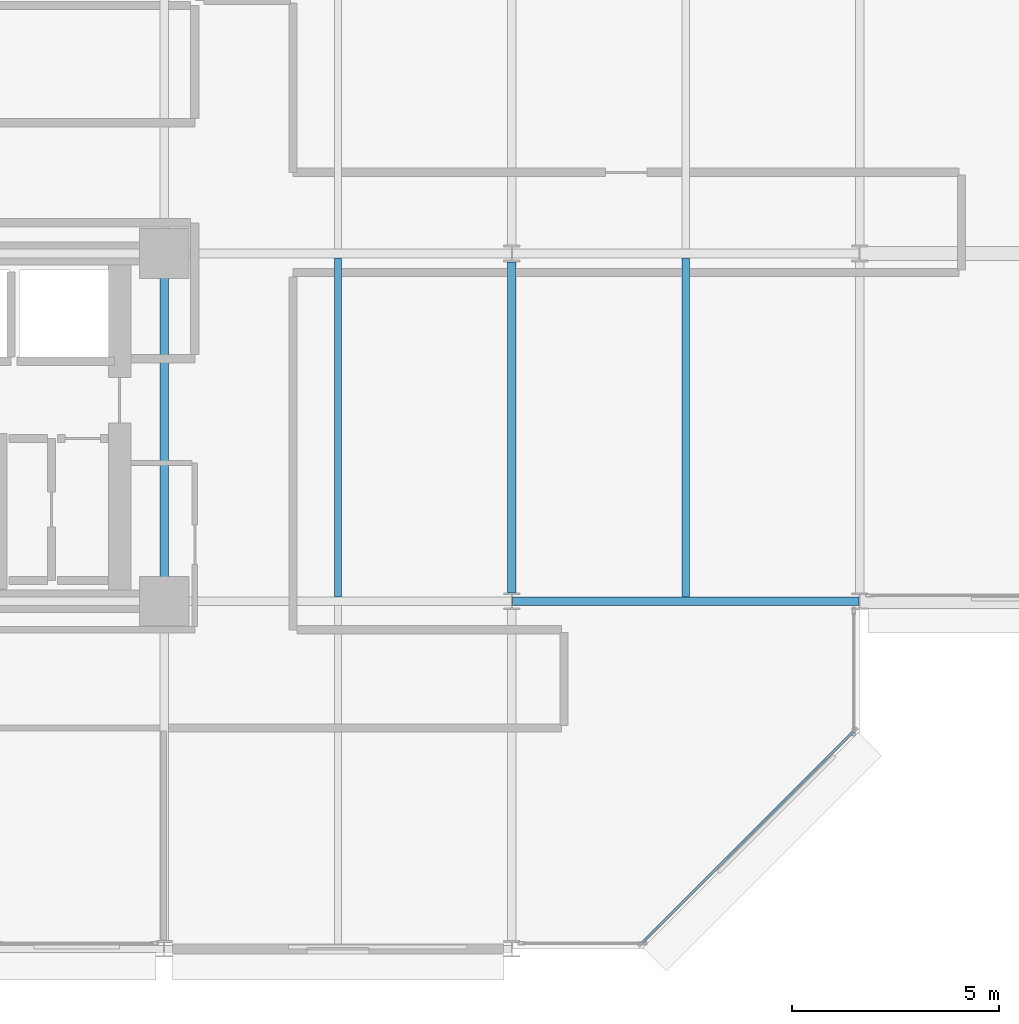
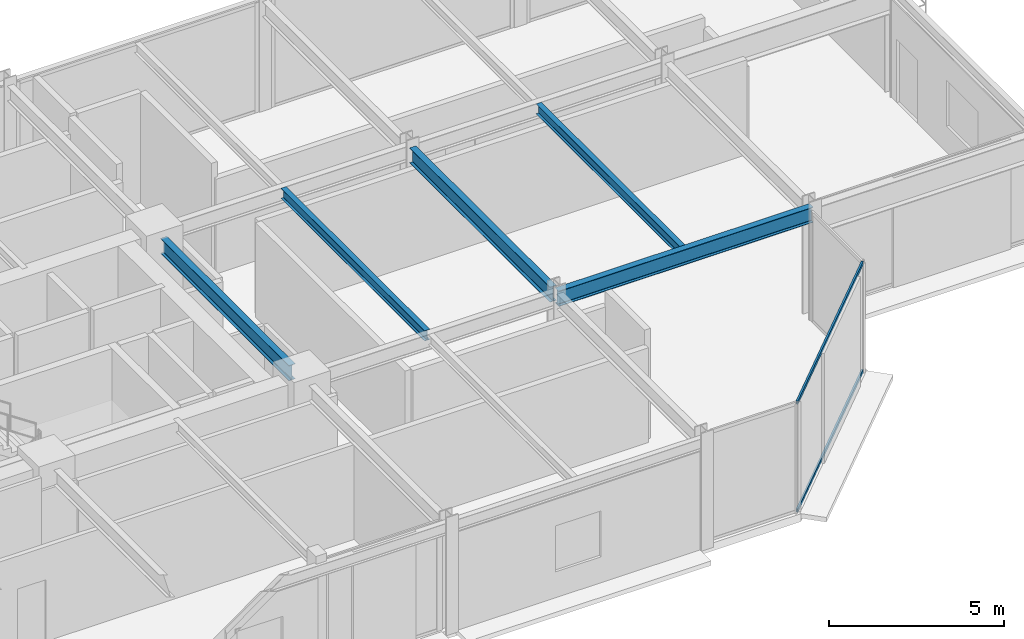
# One storey, part 17 of 39: 5 beams, 2 members, 1 element without a shape of its own.
"""IFC4 building model written with IfcOpenShell, lengths in metres."""

from ifc_helpers import new_model, si_unit, direction, frame, origin, origin_2d, place, context, subcontext, project, spatial, hollow_rectangle, i_section, extrude, material, layer, layer_set, material_profile, profile_set, type_object, element, aggregate, save


model = new_model("IFC4")

# Units and contexts
model_context = context("Model", 3, precision=1e-05, world=origin(), true_north=direction((0.0, 1.0)))
body_context = subcontext(model_context, "Body", "Model", "MODEL_VIEW")
ifc_project = project(units=[si_unit("LENGTHUNIT", "METRE"), si_unit("AREAUNIT", "SQUARE_METRE"), si_unit("VOLUMEUNIT", "CUBIC_METRE"), si_unit("PLANEANGLEUNIT", "RADIAN"), si_unit("MASSUNIT", "GRAM", prefix="KILO")], contexts=[model_context])

# Site, building, storey
site_placement = place(None, origin())
site = spatial("IfcSite", under=ifc_project, at=site_placement, CompositionType="ELEMENT")
building_placement = place(site_placement, origin())
building = spatial("IfcBuilding", under=site, at=building_placement, Name="Nerrivon Quay Data Exchange", CompositionType="ELEMENT")
storey_placement = place(building_placement, frame((0.0, 0.0, 104.89990234375)))
storey = spatial("IfcBuildingStorey", under=building, at=storey_placement, Name="L24", CompositionType="ELEMENT", Elevation=104.89990234375)

# Beams
ifc_material_1 = material(Name="Steel Grade 350", Category="steel")
ifc_material_profile_1 = material_profile(ifc_material_1, i_section(OverallWidth=0.208984375, OverallDepth=0.532958984375, WebThickness=0.01025390625, FlangeThickness=0.015625, FilletRadius=0.013916015625, at=origin_2d()), Name="530UB92.4")
ifc_profile_set_1 = profile_set([ifc_material_profile_1], Name="Steel Grade 350")
beam_type_1 = type_object("IfcBeamType", Name="BM-G3-530UB92", PredefinedType="BEAM", material=ifc_profile_set_1)
beam_1_placement = place(storey_placement, frame((42.012451171875, 8.39990234375, 3.55859375), z_axis=(1.0, 0.0, 0.0), x_axis=(0.0, 1.0, 0.0)))
element("IfcBeam", 1, at=beam_1_placement, inside=storey, type_object=beam_type_1, Name="L24 EW Girder Y=8.4 (42.0..50.4)", PredefinedType="BEAM", context=body_context, shape_type="SweptSolid", body=[
    extrude(i_section(OverallWidth=0.208984375, OverallDepth=0.532958984375, WebThickness=0.01025390625, FlangeThickness=0.015625, FilletRadius=0.013916015625, at=origin_2d()), origin(), (0.0, 0.0, 1.0), 8.375),
])
ifc_material_profile_2 = material_profile(ifc_material_1, i_section(OverallWidth=0.208984375, OverallDepth=0.528076171875, WebThickness=0.009521484375, FlangeThickness=0.01318359375, FilletRadius=0.013916015625, at=origin_2d()), Name="530UB82.0")
ifc_profile_set_2 = profile_set([ifc_material_profile_2], Name="Steel Grade 350")
beam_type_2 = type_object("IfcBeamType", Name="BM-G4-530UB82", PredefinedType="BEAM", material=ifc_profile_set_2)
beam_2_placement = place(storey_placement, frame((33.60009765625, 8.93994140625, 3.56103515625), z_axis=(0.0, 1.0, 0.0), x_axis=(-1.0, 0.0, 0.0)))
element("IfcBeam", 2, at=beam_2_placement, inside=storey, type_object=beam_type_2, Name="L24 NS Girder X=33.6 (8.4..16.8)", PredefinedType="BEAM", context=body_context, shape_type="SweptSolid", body=[
    extrude(i_section(OverallWidth=0.208984375, OverallDepth=0.528076171875, WebThickness=0.009521484375, FlangeThickness=0.01318359375, FilletRadius=0.013916015625, at=origin_2d()), origin(), (0.0, 0.0, 1.0), 7.320068359375),
])
beam_3_placement = place(storey_placement, frame((42.0, 8.60009765625, 3.56103515625), z_axis=(0.0, 1.0, 0.0), x_axis=(-1.0, 0.0, 0.0)))
element("IfcBeam", 3, at=beam_3_placement, inside=storey, type_object=beam_type_2, Name="L24 NS Girder X=42.0 (8.4..16.8)", PredefinedType="BEAM", context=body_context, shape_type="SweptSolid", body=[
    extrude(i_section(OverallWidth=0.208984375, OverallDepth=0.528076171875, WebThickness=0.009521484375, FlangeThickness=0.01318359375, FilletRadius=0.013916015625, at=origin_2d()), origin(), (0.0, 0.0, 1.0), 8.0),
])
ifc_material_profile_3 = material_profile(ifc_material_1, i_section(OverallWidth=0.1708984375, OverallDepth=0.35595703125, WebThickness=0.00732421875, FlangeThickness=0.011474609375, FilletRadius=0.011474609375, at=origin_2d()), Name="360UB50.7")
ifc_profile_set_3 = profile_set([ifc_material_profile_3], Name="Steel Grade 350")
beam_type_3 = type_object("IfcBeamType", Name="BM-J4-360UB51", PredefinedType="JOIST", material=ifc_profile_set_3)
for number, where, z_axis, x_axis, name in (
    (4, (37.800048828125, 8.50439453125, 3.647216796875), (0.0, 1.0, 0.0), (-1.0, 0.0, 0.0), "L24 Secondary Joist X=37.8 (8.4..16.8)"),
    (5, (46.199951171875, 8.50439453125, 3.647216796875), (0.0, 1.0, 0.0), (-1.0, 0.0, 0.0), "L24 Secondary Joist X=46.2 (8.4..16.8)"),
):
    element("IfcBeam", number, at=place(storey_placement, frame(where, z_axis=z_axis, x_axis=x_axis)), inside=storey, type_object=beam_type_3, Name=name, PredefinedType="JOIST", context=body_context, shape_type="SweptSolid", body=[
        extrude(i_section(OverallWidth=0.1708984375, OverallDepth=0.35595703125, WebThickness=0.00732421875, FlangeThickness=0.011474609375, FilletRadius=0.011474609375, at=origin_2d()), origin(), (0.0, 0.0, 1.0), 8.191162109375),
    ])

# Curtain wall, members
ifc_material_2 = material(Name="Anodised aluminium 6063-T6", Category="aluminium")
ifc_layer = layer(ifc_material_2, 0.2099609375)
ifc_layer_set = layer_set([ifc_layer], Name="Anodised aluminium 6063-T6")
curtain_wall_type = type_object("IfcCurtainWallType", Name="CW-SYS-02", PredefinedType="NOTDEFINED", material=ifc_layer_set)
curtain_wall_placement = place(storey_placement, origin())
curtain_wall = element("IfcCurtainWall", 6, at=curtain_wall_placement, inside=storey, type_object=curtain_wall_type, Name="L24 Unitised Curtain Wall 5", PredefinedType="NOTDEFINED")
ifc_material_profile_4 = material_profile(ifc_material_2, hollow_rectangle(XDim=0.06005859375, YDim=0.1201171875, WallThickness=0.003173828125, at=origin_2d()), Name="ALU-TRAN-120x60")
ifc_profile_set_4 = profile_set([ifc_material_profile_4], Name="Anodised aluminium 6063-T6")
member_type = type_object("IfcMemberType", Name="CWT-120x60", PredefinedType="USERDEFINED", material=ifc_profile_set_4)
member_1_placement = place(storey_placement, frame((50.248046875, 5.245849609375, 0.03271484375), z_axis=(-0.707123726196, -0.707089835771, 0.0), x_axis=(0.707089835771, -0.707123726196, 0.0)))
member_1 = element("IfcMember", 7, at=member_1_placement, type_object=member_type, Name="CW02 transom 1.1", ObjectType="TRANSOM", PredefinedType="USERDEFINED", context=body_context, shape_type="SweptSolid", body=[
    extrude(hollow_rectangle(XDim=0.06005859375, YDim=0.1201171875, WallThickness=0.003173828125, at=origin_2d()), origin(), (0.0, 0.0, 1.0), 7.203857421875),
])
member_2_placement = place(storey_placement, frame((50.248046875, 5.245849609375, 3.79248046875), z_axis=(-0.707123726196, -0.707089835771, 0.0), x_axis=(0.707089835771, -0.707123726196, 0.0)))
member_2 = element("IfcMember", 8, at=member_2_placement, type_object=member_type, Name="CW02 transom 1.2", ObjectType="TRANSOM", PredefinedType="USERDEFINED", context=body_context, shape_type="SweptSolid", body=[
    extrude(hollow_rectangle(XDim=0.06005859375, YDim=0.1201171875, WallThickness=0.003173828125, at=origin_2d()), origin(), (0.0, 0.0, 1.0), 7.203857421875),
])
aggregate(curtain_wall, [member_1, member_2])

save(model, "model.ifc")
